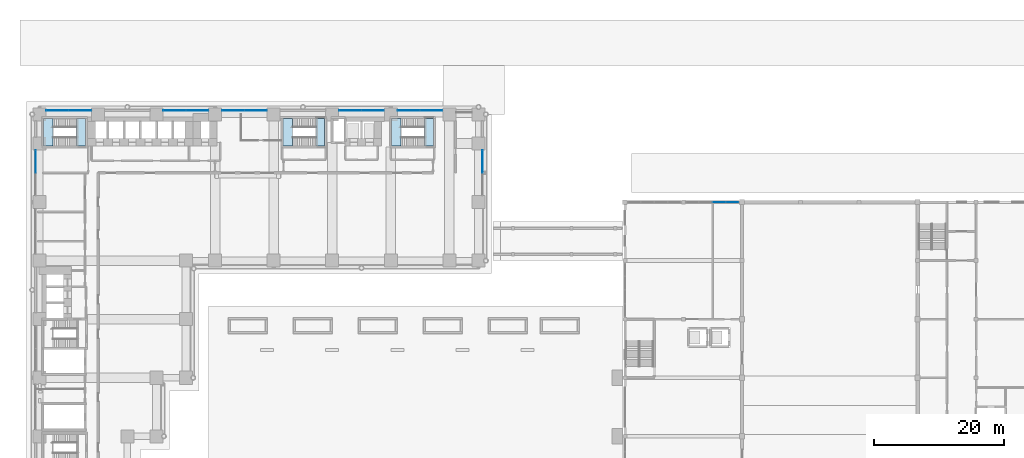
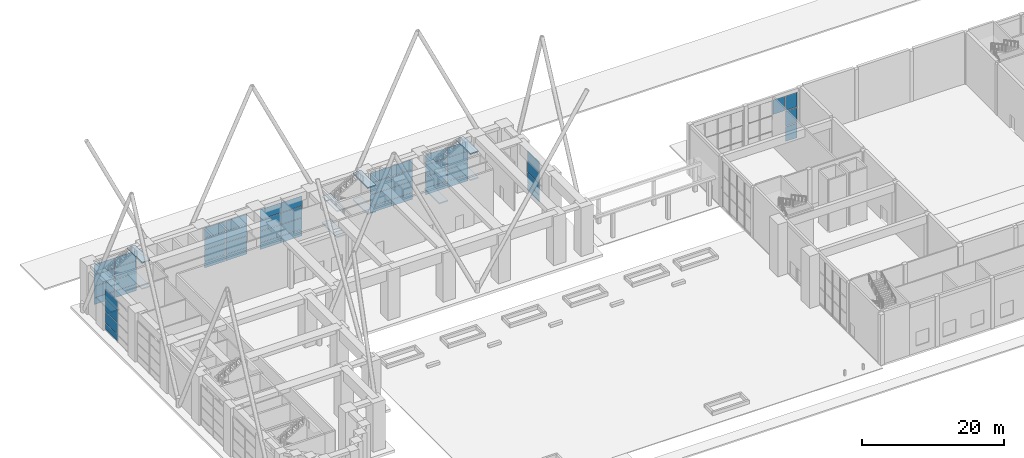
# One storey, part 25 of 44: 52 plates, 12 slabs, 11 elements without a shape of their own.
"""IFC4 building model written with IfcOpenShell, lengths in metres."""

from ifc_helpers import new_model, si_unit, direction, frame, origin, origin_2d, place, context, subcontext, project, spatial, polyline, rectangle, outline, extrude, material, layer, layer_set, type_object, element, aggregate, save


model = new_model("IFC4")

# Units and contexts
model_context = context("Model", 3, precision=1e-05, world=origin(), true_north=direction((0.0, 1.0)))
body_context = subcontext(model_context, "Body", "Model", "MODEL_VIEW")
ifc_project = project(units=[si_unit("LENGTHUNIT", "METRE"), si_unit("AREAUNIT", "SQUARE_METRE"), si_unit("VOLUMEUNIT", "CUBIC_METRE"), si_unit("PLANEANGLEUNIT", "RADIAN"), si_unit("MASSUNIT", "GRAM", prefix="KILO")], contexts=[model_context])

# Site, building, storey
site_placement = place(None, origin())
site = spatial("IfcSite", under=ifc_project, at=site_placement, CompositionType="ELEMENT")
building_placement = place(site_placement, origin())
building = spatial("IfcBuilding", under=site, at=building_placement, Name="Firuza Court", CompositionType="ELEMENT")
storey_placement = place(building_placement, origin())
storey = spatial("IfcBuildingStorey", under=building, at=storey_placement, Name="L00", CompositionType="ELEMENT", Elevation=0.0)

# Curtain wall, plates
ifc_material_1 = material(Name="Aluminium", Category="aluminium")
curtain_wall_type_1 = type_object("IfcCurtainWallType", Name="CW6 FOYER CURTAIN WALL", PredefinedType="NOTDEFINED", material=ifc_material_1)
curtain_wall_1_placement = place(storey_placement, origin())
curtain_wall_1 = element("IfcCurtainWall", 1, at=curtain_wall_1_placement, inside=storey, type_object=curtain_wall_type_1, Name="CW6 foyer curtain wall 4", PredefinedType="NOTDEFINED")
ifc_material_2 = material(Name="Glass", Category="glass")
ifc_layer_1 = layer(ifc_material_2, 0.028076171875)
ifc_layer_set_1 = layer_set([ifc_layer_1], Name="Glass")
plate_type_1 = type_object("IfcPlateType", Name="CW6 GLASS PANEL 28", PredefinedType="CURTAIN_PANEL", material=ifc_layer_set_1)
plate_1_placement = place(storey_placement, frame((104.487548828125, 45.0, 5.4599609375), z_axis=(0.0, 0.0, 1.0), x_axis=(1.0, 0.0, 0.0)))
plate_1 = element("IfcPlate", 2, at=plate_1_placement, type_object=plate_type_1, Name="CW6 panel 3.3", PredefinedType="CURTAIN_PANEL", context=body_context, shape_type="SweptSolid", body=[
    extrude(rectangle(XDim=1.9150390625, YDim=0.028076171875, at=origin_2d()), origin(), (0.0, 0.0, 1.0), 2.52001953125),
])
plate_2_placement = place(storey_placement, frame((106.5224609375, 45.0, 0.119873046875), z_axis=(0.0, 0.0, 1.0), x_axis=(1.0, 0.0, 0.0)))
plate_2 = element("IfcPlate", 3, at=plate_2_placement, type_object=plate_type_1, Name="CW6 panel 4.1", PredefinedType="CURTAIN_PANEL", context=body_context, shape_type="SweptSolid", body=[
    extrude(rectangle(XDim=1.8349609375, YDim=0.028076171875, at=origin_2d()), origin(), (0.0, 0.0, 1.0), 2.52001953125),
])
plate_3_placement = place(storey_placement, frame((106.5224609375, 45.0, 2.760009765625), z_axis=(0.0, 0.0, 1.0), x_axis=(1.0, 0.0, 0.0)))
plate_3 = element("IfcPlate", 4, at=plate_3_placement, type_object=plate_type_1, Name="CW6 panel 4.2", PredefinedType="CURTAIN_PANEL", context=body_context, shape_type="SweptSolid", body=[
    extrude(rectangle(XDim=1.8349609375, YDim=0.028076171875, at=origin_2d()), origin(), (0.0, 0.0, 1.0), 2.580078125),
])
plate_4_placement = place(storey_placement, frame((106.5224609375, 45.0, 5.4599609375), z_axis=(0.0, 0.0, 1.0), x_axis=(1.0, 0.0, 0.0)))
plate_4 = element("IfcPlate", 5, at=plate_4_placement, type_object=plate_type_1, Name="CW6 panel 4.3", PredefinedType="CURTAIN_PANEL", context=body_context, shape_type="SweptSolid", body=[
    extrude(rectangle(XDim=1.8349609375, YDim=0.028076171875, at=origin_2d()), origin(), (0.0, 0.0, 1.0), 2.52001953125),
])
aggregate(curtain_wall_1, [plate_1, plate_2, plate_3, plate_4])

ifc_material_3 = material(Name="Aluminium curtain wall, triple clear glazing", Category="aluminium")
curtain_wall_type_2 = type_object("IfcCurtainWallType", Name="Ground lobby stick shopfront CW2", PredefinedType="NOTDEFINED", material=ifc_material_3)
curtain_wall_2_placement = place(storey_placement, origin())
curtain_wall_2 = element("IfcCurtainWall", 6, at=curtain_wall_2_placement, inside=storey, type_object=curtain_wall_type_2, Name="Ground lobby stick shopfront CW2 L00", PredefinedType="NOTDEFINED")
ifc_material_4 = material(Name="Triple clear glazing", Category="glass")
ifc_layer_2 = layer(ifc_material_4, 0.031982421875)
ifc_layer_set_2 = layer_set([ifc_layer_2], Name="Triple clear glazing")
plate_type_2 = type_object("IfcPlateType", Name="Glazed panel 32 CW2", PredefinedType="CURTAIN_PANEL", material=ifc_layer_set_2)
plate_5_placement = place(storey_placement, frame((68.10009765625, 51.235107421875, 0.06005859375), z_axis=(0.0, 0.0, 1.0), x_axis=(0.0, 1.0, 0.0)))
plate_5 = element("IfcPlate", 7, at=plate_5_placement, type_object=plate_type_2, Name="CW2 panel 2.1", PredefinedType="CURTAIN_PANEL", context=body_context, shape_type="SweptSolid", body=[
    extrude(rectangle(XDim=3.409912109375, YDim=0.031982421875, at=origin_2d()), origin(), (0.0, 0.0, 1.0), 1.110107421875),
])
plate_6_placement = place(storey_placement, frame((68.10009765625, 51.235107421875, 1.22998046875), z_axis=(0.0, 0.0, 1.0), x_axis=(0.0, 1.0, 0.0)))
plate_6 = element("IfcPlate", 8, at=plate_6_placement, type_object=plate_type_2, Name="CW2 panel 2.2", PredefinedType="CURTAIN_PANEL", context=body_context, shape_type="SweptSolid", body=[
    extrude(rectangle(XDim=3.409912109375, YDim=0.031982421875, at=origin_2d()), origin(), (0.0, 0.0, 1.0), 1.93994140625),
])
plate_7_placement = place(storey_placement, frame((68.10009765625, 51.235107421875, 3.22998046875), z_axis=(0.0, 0.0, 1.0), x_axis=(0.0, 1.0, 0.0)))
plate_7 = element("IfcPlate", 9, at=plate_7_placement, type_object=plate_type_2, Name="CW2 panel 2.3", PredefinedType="CURTAIN_PANEL", context=body_context, shape_type="SweptSolid", body=[
    extrude(rectangle(XDim=3.409912109375, YDim=0.031982421875, at=origin_2d()), origin(), (0.0, 0.0, 1.0), 1.93994140625),
])
plate_8_placement = place(storey_placement, frame((68.10009765625, 51.235107421875, 5.22998046875), z_axis=(0.0, 0.0, 1.0), x_axis=(0.0, 1.0, 0.0)))
plate_8 = element("IfcPlate", 10, at=plate_8_placement, type_object=plate_type_2, Name="CW2 panel 2.4", PredefinedType="CURTAIN_PANEL", context=body_context, shape_type="SweptSolid", body=[
    extrude(rectangle(XDim=3.409912109375, YDim=0.031982421875, at=origin_2d()), origin(), (0.0, 0.0, 1.0), 1.7099609375),
])
aggregate(curtain_wall_2, [plate_5, plate_6, plate_7, plate_8])

curtain_wall_3_placement = place(storey_placement, origin())
curtain_wall_3 = element("IfcCurtainWall", 11, at=curtain_wall_3_placement, inside=storey, type_object=curtain_wall_type_2, Name="Ground lobby stick shopfront CW2 L00", PredefinedType="NOTDEFINED")
plate_9_placement = place(storey_placement, frame((60.235107421875, 59.10009765625, 0.06005859375), z_axis=(0.0, 0.0, 1.0), x_axis=(-1.0, 0.0, 0.0)))
plate_9 = element("IfcPlate", 12, at=plate_9_placement, type_object=plate_type_2, Name="CW2 panel 1.1", PredefinedType="CURTAIN_PANEL", context=body_context, shape_type="SweptSolid", body=[
    extrude(rectangle(XDim=3.409912109375, YDim=0.031982421875, at=origin_2d()), origin(), (0.0, 0.0, 1.0), 1.110107421875),
])
plate_10_placement = place(storey_placement, frame((60.235107421875, 59.10009765625, 1.22998046875), z_axis=(0.0, 0.0, 1.0), x_axis=(-1.0, 0.0, 0.0)))
plate_10 = element("IfcPlate", 13, at=plate_10_placement, type_object=plate_type_2, Name="CW2 panel 1.2", PredefinedType="CURTAIN_PANEL", context=body_context, shape_type="SweptSolid", body=[
    extrude(rectangle(XDim=3.409912109375, YDim=0.031982421875, at=origin_2d()), origin(), (0.0, 0.0, 1.0), 1.93994140625),
])
plate_11_placement = place(storey_placement, frame((60.235107421875, 59.10009765625, 3.22998046875), z_axis=(0.0, 0.0, 1.0), x_axis=(-1.0, 0.0, 0.0)))
plate_11 = element("IfcPlate", 14, at=plate_11_placement, type_object=plate_type_2, Name="CW2 panel 1.3", PredefinedType="CURTAIN_PANEL", context=body_context, shape_type="SweptSolid", body=[
    extrude(rectangle(XDim=3.409912109375, YDim=0.031982421875, at=origin_2d()), origin(), (0.0, 0.0, 1.0), 1.93994140625),
])
plate_12_placement = place(storey_placement, frame((60.235107421875, 59.10009765625, 5.22998046875), z_axis=(0.0, 0.0, 1.0), x_axis=(-1.0, 0.0, 0.0)))
plate_12 = element("IfcPlate", 15, at=plate_12_placement, type_object=plate_type_2, Name="CW2 panel 1.4", PredefinedType="CURTAIN_PANEL", context=body_context, shape_type="SweptSolid", body=[
    extrude(rectangle(XDim=3.409912109375, YDim=0.031982421875, at=origin_2d()), origin(), (0.0, 0.0, 1.0), 1.7099609375),
])
plate_13_placement = place(storey_placement, frame((56.764892578125, 59.10009765625, 0.06005859375), z_axis=(0.0, 0.0, 1.0), x_axis=(-1.0, 0.0, 0.0)))
plate_13 = element("IfcPlate", 16, at=plate_13_placement, type_object=plate_type_2, Name="CW2 panel 2.1", PredefinedType="CURTAIN_PANEL", context=body_context, shape_type="SweptSolid", body=[
    extrude(rectangle(XDim=3.409912109375, YDim=0.031982421875, at=origin_2d()), origin(), (0.0, 0.0, 1.0), 1.110107421875),
])
plate_14_placement = place(storey_placement, frame((56.764892578125, 59.10009765625, 1.22998046875), z_axis=(0.0, 0.0, 1.0), x_axis=(-1.0, 0.0, 0.0)))
plate_14 = element("IfcPlate", 17, at=plate_14_placement, type_object=plate_type_2, Name="CW2 panel 2.2", PredefinedType="CURTAIN_PANEL", context=body_context, shape_type="SweptSolid", body=[
    extrude(rectangle(XDim=3.409912109375, YDim=0.031982421875, at=origin_2d()), origin(), (0.0, 0.0, 1.0), 1.93994140625),
])
plate_15_placement = place(storey_placement, frame((56.764892578125, 59.10009765625, 3.22998046875), z_axis=(0.0, 0.0, 1.0), x_axis=(-1.0, 0.0, 0.0)))
plate_15 = element("IfcPlate", 18, at=plate_15_placement, type_object=plate_type_2, Name="CW2 panel 2.3", PredefinedType="CURTAIN_PANEL", context=body_context, shape_type="SweptSolid", body=[
    extrude(rectangle(XDim=3.409912109375, YDim=0.031982421875, at=origin_2d()), origin(), (0.0, 0.0, 1.0), 1.93994140625),
])
plate_16_placement = place(storey_placement, frame((56.764892578125, 59.10009765625, 5.22998046875), z_axis=(0.0, 0.0, 1.0), x_axis=(-1.0, 0.0, 0.0)))
plate_16 = element("IfcPlate", 19, at=plate_16_placement, type_object=plate_type_2, Name="CW2 panel 2.4", PredefinedType="CURTAIN_PANEL", context=body_context, shape_type="SweptSolid", body=[
    extrude(rectangle(XDim=3.409912109375, YDim=0.031982421875, at=origin_2d()), origin(), (0.0, 0.0, 1.0), 1.7099609375),
])
aggregate(curtain_wall_3, [plate_9, plate_10, plate_11, plate_12, plate_13, plate_14, plate_15, plate_16])

curtain_wall_4_placement = place(storey_placement, origin())
curtain_wall_4 = element("IfcCurtainWall", 20, at=curtain_wall_4_placement, inside=storey, type_object=curtain_wall_type_2, Name="Ground lobby stick shopfront CW2 L00", PredefinedType="NOTDEFINED")
plate_17_placement = place(storey_placement, frame((51.235107421875, 59.10009765625, 0.06005859375), z_axis=(0.0, 0.0, 1.0), x_axis=(-1.0, 0.0, 0.0)))
plate_17 = element("IfcPlate", 21, at=plate_17_placement, type_object=plate_type_2, Name="CW2 panel 1.1", PredefinedType="CURTAIN_PANEL", context=body_context, shape_type="SweptSolid", body=[
    extrude(rectangle(XDim=3.409912109375, YDim=0.031982421875, at=origin_2d()), origin(), (0.0, 0.0, 1.0), 1.110107421875),
])
plate_18_placement = place(storey_placement, frame((51.235107421875, 59.10009765625, 1.22998046875), z_axis=(0.0, 0.0, 1.0), x_axis=(-1.0, 0.0, 0.0)))
plate_18 = element("IfcPlate", 22, at=plate_18_placement, type_object=plate_type_2, Name="CW2 panel 1.2", PredefinedType="CURTAIN_PANEL", context=body_context, shape_type="SweptSolid", body=[
    extrude(rectangle(XDim=3.409912109375, YDim=0.031982421875, at=origin_2d()), origin(), (0.0, 0.0, 1.0), 1.93994140625),
])
plate_19_placement = place(storey_placement, frame((51.235107421875, 59.10009765625, 3.22998046875), z_axis=(0.0, 0.0, 1.0), x_axis=(-1.0, 0.0, 0.0)))
plate_19 = element("IfcPlate", 23, at=plate_19_placement, type_object=plate_type_2, Name="CW2 panel 1.3", PredefinedType="CURTAIN_PANEL", context=body_context, shape_type="SweptSolid", body=[
    extrude(rectangle(XDim=3.409912109375, YDim=0.031982421875, at=origin_2d()), origin(), (0.0, 0.0, 1.0), 1.93994140625),
])
plate_20_placement = place(storey_placement, frame((51.235107421875, 59.10009765625, 5.22998046875), z_axis=(0.0, 0.0, 1.0), x_axis=(-1.0, 0.0, 0.0)))
plate_20 = element("IfcPlate", 24, at=plate_20_placement, type_object=plate_type_2, Name="CW2 panel 1.4", PredefinedType="CURTAIN_PANEL", context=body_context, shape_type="SweptSolid", body=[
    extrude(rectangle(XDim=3.409912109375, YDim=0.031982421875, at=origin_2d()), origin(), (0.0, 0.0, 1.0), 1.7099609375),
])
plate_21_placement = place(storey_placement, frame((47.764892578125, 59.10009765625, 0.06005859375), z_axis=(0.0, 0.0, 1.0), x_axis=(-1.0, 0.0, 0.0)))
plate_21 = element("IfcPlate", 25, at=plate_21_placement, type_object=plate_type_2, Name="CW2 panel 2.1", PredefinedType="CURTAIN_PANEL", context=body_context, shape_type="SweptSolid", body=[
    extrude(rectangle(XDim=3.409912109375, YDim=0.031982421875, at=origin_2d()), origin(), (0.0, 0.0, 1.0), 1.110107421875),
])
plate_22_placement = place(storey_placement, frame((47.764892578125, 59.10009765625, 1.22998046875), z_axis=(0.0, 0.0, 1.0), x_axis=(-1.0, 0.0, 0.0)))
plate_22 = element("IfcPlate", 26, at=plate_22_placement, type_object=plate_type_2, Name="CW2 panel 2.2", PredefinedType="CURTAIN_PANEL", context=body_context, shape_type="SweptSolid", body=[
    extrude(rectangle(XDim=3.409912109375, YDim=0.031982421875, at=origin_2d()), origin(), (0.0, 0.0, 1.0), 1.93994140625),
])
plate_23_placement = place(storey_placement, frame((47.764892578125, 59.10009765625, 3.22998046875), z_axis=(0.0, 0.0, 1.0), x_axis=(-1.0, 0.0, 0.0)))
plate_23 = element("IfcPlate", 27, at=plate_23_placement, type_object=plate_type_2, Name="CW2 panel 2.3", PredefinedType="CURTAIN_PANEL", context=body_context, shape_type="SweptSolid", body=[
    extrude(rectangle(XDim=3.409912109375, YDim=0.031982421875, at=origin_2d()), origin(), (0.0, 0.0, 1.0), 1.93994140625),
])
plate_24_placement = place(storey_placement, frame((47.764892578125, 59.10009765625, 5.22998046875), z_axis=(0.0, 0.0, 1.0), x_axis=(-1.0, 0.0, 0.0)))
plate_24 = element("IfcPlate", 28, at=plate_24_placement, type_object=plate_type_2, Name="CW2 panel 2.4", PredefinedType="CURTAIN_PANEL", context=body_context, shape_type="SweptSolid", body=[
    extrude(rectangle(XDim=3.409912109375, YDim=0.031982421875, at=origin_2d()), origin(), (0.0, 0.0, 1.0), 1.7099609375),
])
aggregate(curtain_wall_4, [plate_17, plate_18, plate_19, plate_20, plate_21, plate_22, plate_23, plate_24])

curtain_wall_5_placement = place(storey_placement, origin())
curtain_wall_5 = element("IfcCurtainWall", 29, at=curtain_wall_5_placement, inside=storey, type_object=curtain_wall_type_2, Name="Ground lobby stick shopfront CW2 L00", PredefinedType="NOTDEFINED")
plate_25_placement = place(storey_placement, frame((33.235107421875, 59.10009765625, 0.06005859375), z_axis=(0.0, 0.0, 1.0), x_axis=(-1.0, 0.0, 0.0)))
plate_25 = element("IfcPlate", 30, at=plate_25_placement, type_object=plate_type_2, Name="CW2 panel 1.1", PredefinedType="CURTAIN_PANEL", context=body_context, shape_type="SweptSolid", body=[
    extrude(rectangle(XDim=3.409912109375, YDim=0.031982421875, at=origin_2d()), origin(), (0.0, 0.0, 1.0), 1.110107421875),
])
plate_26_placement = place(storey_placement, frame((33.235107421875, 59.10009765625, 1.22998046875), z_axis=(0.0, 0.0, 1.0), x_axis=(-1.0, 0.0, 0.0)))
plate_26 = element("IfcPlate", 31, at=plate_26_placement, type_object=plate_type_2, Name="CW2 panel 1.2", PredefinedType="CURTAIN_PANEL", context=body_context, shape_type="SweptSolid", body=[
    extrude(rectangle(XDim=3.409912109375, YDim=0.031982421875, at=origin_2d()), origin(), (0.0, 0.0, 1.0), 1.93994140625),
])
plate_27_placement = place(storey_placement, frame((33.235107421875, 59.10009765625, 3.22998046875), z_axis=(0.0, 0.0, 1.0), x_axis=(-1.0, 0.0, 0.0)))
plate_27 = element("IfcPlate", 32, at=plate_27_placement, type_object=plate_type_2, Name="CW2 panel 1.3", PredefinedType="CURTAIN_PANEL", context=body_context, shape_type="SweptSolid", body=[
    extrude(rectangle(XDim=3.409912109375, YDim=0.031982421875, at=origin_2d()), origin(), (0.0, 0.0, 1.0), 1.93994140625),
])
plate_28_placement = place(storey_placement, frame((33.235107421875, 59.10009765625, 5.22998046875), z_axis=(0.0, 0.0, 1.0), x_axis=(-1.0, 0.0, 0.0)))
plate_28 = element("IfcPlate", 33, at=plate_28_placement, type_object=plate_type_2, Name="CW2 panel 1.4", PredefinedType="CURTAIN_PANEL", context=body_context, shape_type="SweptSolid", body=[
    extrude(rectangle(XDim=3.409912109375, YDim=0.031982421875, at=origin_2d()), origin(), (0.0, 0.0, 1.0), 1.7099609375),
])
plate_29_placement = place(storey_placement, frame((29.764892578125, 59.10009765625, 0.06005859375), z_axis=(0.0, 0.0, 1.0), x_axis=(-1.0, 0.0, 0.0)))
plate_29 = element("IfcPlate", 34, at=plate_29_placement, type_object=plate_type_2, Name="CW2 panel 2.1", PredefinedType="CURTAIN_PANEL", context=body_context, shape_type="SweptSolid", body=[
    extrude(rectangle(XDim=3.409912109375, YDim=0.031982421875, at=origin_2d()), origin(), (0.0, 0.0, 1.0), 1.110107421875),
])
plate_30_placement = place(storey_placement, frame((29.764892578125, 59.10009765625, 1.22998046875), z_axis=(0.0, 0.0, 1.0), x_axis=(-1.0, 0.0, 0.0)))
plate_30 = element("IfcPlate", 35, at=plate_30_placement, type_object=plate_type_2, Name="CW2 panel 2.2", PredefinedType="CURTAIN_PANEL", context=body_context, shape_type="SweptSolid", body=[
    extrude(rectangle(XDim=3.409912109375, YDim=0.031982421875, at=origin_2d()), origin(), (0.0, 0.0, 1.0), 1.93994140625),
])
plate_31_placement = place(storey_placement, frame((29.764892578125, 59.10009765625, 3.22998046875), z_axis=(0.0, 0.0, 1.0), x_axis=(-1.0, 0.0, 0.0)))
plate_31 = element("IfcPlate", 36, at=plate_31_placement, type_object=plate_type_2, Name="CW2 panel 2.3", PredefinedType="CURTAIN_PANEL", context=body_context, shape_type="SweptSolid", body=[
    extrude(rectangle(XDim=3.409912109375, YDim=0.031982421875, at=origin_2d()), origin(), (0.0, 0.0, 1.0), 1.93994140625),
])
plate_32_placement = place(storey_placement, frame((29.764892578125, 59.10009765625, 5.22998046875), z_axis=(0.0, 0.0, 1.0), x_axis=(-1.0, 0.0, 0.0)))
plate_32 = element("IfcPlate", 37, at=plate_32_placement, type_object=plate_type_2, Name="CW2 panel 2.4", PredefinedType="CURTAIN_PANEL", context=body_context, shape_type="SweptSolid", body=[
    extrude(rectangle(XDim=3.409912109375, YDim=0.031982421875, at=origin_2d()), origin(), (0.0, 0.0, 1.0), 1.7099609375),
])
aggregate(curtain_wall_5, [plate_25, plate_26, plate_27, plate_28, plate_29, plate_30, plate_31, plate_32])

curtain_wall_6_placement = place(storey_placement, origin())
curtain_wall_6 = element("IfcCurtainWall", 38, at=curtain_wall_6_placement, inside=storey, type_object=curtain_wall_type_2, Name="Ground lobby stick shopfront CW2 L00", PredefinedType="NOTDEFINED")
plate_33_placement = place(storey_placement, frame((24.235107421875, 59.10009765625, 0.06005859375), z_axis=(0.0, 0.0, 1.0), x_axis=(-1.0, 0.0, 0.0)))
plate_33 = element("IfcPlate", 39, at=plate_33_placement, type_object=plate_type_2, Name="CW2 panel 1.1", PredefinedType="CURTAIN_PANEL", context=body_context, shape_type="SweptSolid", body=[
    extrude(rectangle(XDim=3.409912109375, YDim=0.031982421875, at=origin_2d()), origin(), (0.0, 0.0, 1.0), 1.110107421875),
])
plate_34_placement = place(storey_placement, frame((24.235107421875, 59.10009765625, 1.22998046875), z_axis=(0.0, 0.0, 1.0), x_axis=(-1.0, 0.0, 0.0)))
plate_34 = element("IfcPlate", 40, at=plate_34_placement, type_object=plate_type_2, Name="CW2 panel 1.2", PredefinedType="CURTAIN_PANEL", context=body_context, shape_type="SweptSolid", body=[
    extrude(rectangle(XDim=3.409912109375, YDim=0.031982421875, at=origin_2d()), origin(), (0.0, 0.0, 1.0), 1.93994140625),
])
plate_35_placement = place(storey_placement, frame((24.235107421875, 59.10009765625, 3.22998046875), z_axis=(0.0, 0.0, 1.0), x_axis=(-1.0, 0.0, 0.0)))
plate_35 = element("IfcPlate", 41, at=plate_35_placement, type_object=plate_type_2, Name="CW2 panel 1.3", PredefinedType="CURTAIN_PANEL", context=body_context, shape_type="SweptSolid", body=[
    extrude(rectangle(XDim=3.409912109375, YDim=0.031982421875, at=origin_2d()), origin(), (0.0, 0.0, 1.0), 1.93994140625),
])
plate_36_placement = place(storey_placement, frame((24.235107421875, 59.10009765625, 5.22998046875), z_axis=(0.0, 0.0, 1.0), x_axis=(-1.0, 0.0, 0.0)))
plate_36 = element("IfcPlate", 42, at=plate_36_placement, type_object=plate_type_2, Name="CW2 panel 1.4", PredefinedType="CURTAIN_PANEL", context=body_context, shape_type="SweptSolid", body=[
    extrude(rectangle(XDim=3.409912109375, YDim=0.031982421875, at=origin_2d()), origin(), (0.0, 0.0, 1.0), 1.7099609375),
])
plate_37_placement = place(storey_placement, frame((20.764892578125, 59.10009765625, 0.06005859375), z_axis=(0.0, 0.0, 1.0), x_axis=(-1.0, 0.0, 0.0)))
plate_37 = element("IfcPlate", 43, at=plate_37_placement, type_object=plate_type_2, Name="CW2 panel 2.1", PredefinedType="CURTAIN_PANEL", context=body_context, shape_type="SweptSolid", body=[
    extrude(rectangle(XDim=3.409912109375, YDim=0.031982421875, at=origin_2d()), origin(), (0.0, 0.0, 1.0), 1.110107421875),
])
plate_38_placement = place(storey_placement, frame((20.764892578125, 59.10009765625, 1.22998046875), z_axis=(0.0, 0.0, 1.0), x_axis=(-1.0, 0.0, 0.0)))
plate_38 = element("IfcPlate", 44, at=plate_38_placement, type_object=plate_type_2, Name="CW2 panel 2.2", PredefinedType="CURTAIN_PANEL", context=body_context, shape_type="SweptSolid", body=[
    extrude(rectangle(XDim=3.409912109375, YDim=0.031982421875, at=origin_2d()), origin(), (0.0, 0.0, 1.0), 1.93994140625),
])
plate_39_placement = place(storey_placement, frame((20.764892578125, 59.10009765625, 3.22998046875), z_axis=(0.0, 0.0, 1.0), x_axis=(-1.0, 0.0, 0.0)))
plate_39 = element("IfcPlate", 45, at=plate_39_placement, type_object=plate_type_2, Name="CW2 panel 2.3", PredefinedType="CURTAIN_PANEL", context=body_context, shape_type="SweptSolid", body=[
    extrude(rectangle(XDim=3.409912109375, YDim=0.031982421875, at=origin_2d()), origin(), (0.0, 0.0, 1.0), 1.93994140625),
])
plate_40_placement = place(storey_placement, frame((20.764892578125, 59.10009765625, 5.22998046875), z_axis=(0.0, 0.0, 1.0), x_axis=(-1.0, 0.0, 0.0)))
plate_40 = element("IfcPlate", 46, at=plate_40_placement, type_object=plate_type_2, Name="CW2 panel 2.4", PredefinedType="CURTAIN_PANEL", context=body_context, shape_type="SweptSolid", body=[
    extrude(rectangle(XDim=3.409912109375, YDim=0.031982421875, at=origin_2d()), origin(), (0.0, 0.0, 1.0), 1.7099609375),
])
aggregate(curtain_wall_6, [plate_33, plate_34, plate_35, plate_36, plate_37, plate_38, plate_39, plate_40])

curtain_wall_7_placement = place(storey_placement, origin())
curtain_wall_7 = element("IfcCurtainWall", 47, at=curtain_wall_7_placement, inside=storey, type_object=curtain_wall_type_2, Name="Ground lobby stick shopfront CW2 L00", PredefinedType="NOTDEFINED")
plate_41_placement = place(storey_placement, frame((6.235107421875, 59.10009765625, 0.06005859375), z_axis=(0.0, 0.0, 1.0), x_axis=(-1.0, 0.0, 0.0)))
plate_41 = element("IfcPlate", 48, at=plate_41_placement, type_object=plate_type_2, Name="CW2 panel 1.1", PredefinedType="CURTAIN_PANEL", context=body_context, shape_type="SweptSolid", body=[
    extrude(rectangle(XDim=3.409912109375, YDim=0.031982421875, at=origin_2d()), origin(), (0.0, 0.0, 1.0), 1.110107421875),
])
plate_42_placement = place(storey_placement, frame((6.235107421875, 59.10009765625, 1.22998046875), z_axis=(0.0, 0.0, 1.0), x_axis=(-1.0, 0.0, 0.0)))
plate_42 = element("IfcPlate", 49, at=plate_42_placement, type_object=plate_type_2, Name="CW2 panel 1.2", PredefinedType="CURTAIN_PANEL", context=body_context, shape_type="SweptSolid", body=[
    extrude(rectangle(XDim=3.409912109375, YDim=0.031982421875, at=origin_2d()), origin(), (0.0, 0.0, 1.0), 1.93994140625),
])
plate_43_placement = place(storey_placement, frame((6.235107421875, 59.10009765625, 3.22998046875), z_axis=(0.0, 0.0, 1.0), x_axis=(-1.0, 0.0, 0.0)))
plate_43 = element("IfcPlate", 50, at=plate_43_placement, type_object=plate_type_2, Name="CW2 panel 1.3", PredefinedType="CURTAIN_PANEL", context=body_context, shape_type="SweptSolid", body=[
    extrude(rectangle(XDim=3.409912109375, YDim=0.031982421875, at=origin_2d()), origin(), (0.0, 0.0, 1.0), 1.93994140625),
])
plate_44_placement = place(storey_placement, frame((6.235107421875, 59.10009765625, 5.22998046875), z_axis=(0.0, 0.0, 1.0), x_axis=(-1.0, 0.0, 0.0)))
plate_44 = element("IfcPlate", 51, at=plate_44_placement, type_object=plate_type_2, Name="CW2 panel 1.4", PredefinedType="CURTAIN_PANEL", context=body_context, shape_type="SweptSolid", body=[
    extrude(rectangle(XDim=3.409912109375, YDim=0.031982421875, at=origin_2d()), origin(), (0.0, 0.0, 1.0), 1.7099609375),
])
plate_45_placement = place(storey_placement, frame((2.764892578125, 59.10009765625, 0.06005859375), z_axis=(0.0, 0.0, 1.0), x_axis=(-1.0, 0.0, 0.0)))
plate_45 = element("IfcPlate", 52, at=plate_45_placement, type_object=plate_type_2, Name="CW2 panel 2.1", PredefinedType="CURTAIN_PANEL", context=body_context, shape_type="SweptSolid", body=[
    extrude(rectangle(XDim=3.409912109375, YDim=0.031982421875, at=origin_2d()), origin(), (0.0, 0.0, 1.0), 1.110107421875),
])
plate_46_placement = place(storey_placement, frame((2.764892578125, 59.10009765625, 1.22998046875), z_axis=(0.0, 0.0, 1.0), x_axis=(-1.0, 0.0, 0.0)))
plate_46 = element("IfcPlate", 53, at=plate_46_placement, type_object=plate_type_2, Name="CW2 panel 2.2", PredefinedType="CURTAIN_PANEL", context=body_context, shape_type="SweptSolid", body=[
    extrude(rectangle(XDim=3.409912109375, YDim=0.031982421875, at=origin_2d()), origin(), (0.0, 0.0, 1.0), 1.93994140625),
])
plate_47_placement = place(storey_placement, frame((2.764892578125, 59.10009765625, 3.22998046875), z_axis=(0.0, 0.0, 1.0), x_axis=(-1.0, 0.0, 0.0)))
plate_47 = element("IfcPlate", 54, at=plate_47_placement, type_object=plate_type_2, Name="CW2 panel 2.3", PredefinedType="CURTAIN_PANEL", context=body_context, shape_type="SweptSolid", body=[
    extrude(rectangle(XDim=3.409912109375, YDim=0.031982421875, at=origin_2d()), origin(), (0.0, 0.0, 1.0), 1.93994140625),
])
plate_48_placement = place(storey_placement, frame((2.764892578125, 59.10009765625, 5.22998046875), z_axis=(0.0, 0.0, 1.0), x_axis=(-1.0, 0.0, 0.0)))
plate_48 = element("IfcPlate", 55, at=plate_48_placement, type_object=plate_type_2, Name="CW2 panel 2.4", PredefinedType="CURTAIN_PANEL", context=body_context, shape_type="SweptSolid", body=[
    extrude(rectangle(XDim=3.409912109375, YDim=0.031982421875, at=origin_2d()), origin(), (0.0, 0.0, 1.0), 1.7099609375),
])
aggregate(curtain_wall_7, [plate_41, plate_42, plate_43, plate_44, plate_45, plate_46, plate_47, plate_48])

curtain_wall_8_placement = place(storey_placement, origin())
curtain_wall_8 = element("IfcCurtainWall", 56, at=curtain_wall_8_placement, inside=storey, type_object=curtain_wall_type_2, Name="Ground lobby stick shopfront CW2 L00", PredefinedType="NOTDEFINED")
plate_49_placement = place(storey_placement, frame((-0.60009765625, 51.235107421875, 0.06005859375), z_axis=(0.0, 0.0, 1.0), x_axis=(0.0, -1.0, 0.0)))
plate_49 = element("IfcPlate", 57, at=plate_49_placement, type_object=plate_type_2, Name="CW2 panel 1.1", PredefinedType="CURTAIN_PANEL", context=body_context, shape_type="SweptSolid", body=[
    extrude(rectangle(XDim=3.409912109375, YDim=0.031982421875, at=origin_2d()), origin(), (0.0, 0.0, 1.0), 1.110107421875),
])
plate_50_placement = place(storey_placement, frame((-0.60009765625, 51.235107421875, 1.22998046875), z_axis=(0.0, 0.0, 1.0), x_axis=(0.0, -1.0, 0.0)))
plate_50 = element("IfcPlate", 58, at=plate_50_placement, type_object=plate_type_2, Name="CW2 panel 1.2", PredefinedType="CURTAIN_PANEL", context=body_context, shape_type="SweptSolid", body=[
    extrude(rectangle(XDim=3.409912109375, YDim=0.031982421875, at=origin_2d()), origin(), (0.0, 0.0, 1.0), 1.93994140625),
])
plate_51_placement = place(storey_placement, frame((-0.60009765625, 51.235107421875, 3.22998046875), z_axis=(0.0, 0.0, 1.0), x_axis=(0.0, -1.0, 0.0)))
plate_51 = element("IfcPlate", 59, at=plate_51_placement, type_object=plate_type_2, Name="CW2 panel 1.3", PredefinedType="CURTAIN_PANEL", context=body_context, shape_type="SweptSolid", body=[
    extrude(rectangle(XDim=3.409912109375, YDim=0.031982421875, at=origin_2d()), origin(), (0.0, 0.0, 1.0), 1.93994140625),
])
plate_52_placement = place(storey_placement, frame((-0.60009765625, 51.235107421875, 5.22998046875), z_axis=(0.0, 0.0, 1.0), x_axis=(0.0, -1.0, 0.0)))
plate_52 = element("IfcPlate", 60, at=plate_52_placement, type_object=plate_type_2, Name="CW2 panel 1.4", PredefinedType="CURTAIN_PANEL", context=body_context, shape_type="SweptSolid", body=[
    extrude(rectangle(XDim=3.409912109375, YDim=0.031982421875, at=origin_2d()), origin(), (0.0, 0.0, 1.0), 1.7099609375),
])
aggregate(curtain_wall_8, [plate_49, plate_50, plate_51, plate_52])

# Stair, slabs
ifc_material_5 = material(Name="Concrete C40/50 precast", Category="concrete")
stair_type = type_object("IfcStairType", Name="Stair 1350 x 9000 4 flights", PredefinedType="QUARTER_TURN_STAIR", material=ifc_material_5)
stair_1_placement = place(storey_placement, origin())
stair_1 = element("IfcStair", 61, at=stair_1_placement, inside=storey, type_object=stair_type, Name="Stair 1 L00", PredefinedType="QUARTER_TURN_STAIR")
ifc_material_6 = material(Name="Concrete C40/50 precast", Category="concrete")
ifc_layer_3 = layer(ifc_material_6, 0.199951171875)
ifc_layer_set_3 = layer_set([ifc_layer_3], Name="Concrete C40/50 precast")
slab_type = type_object("IfcSlabType", Name="Stair landing 200", PredefinedType="LANDING", material=ifc_layer_set_3)
slab_1_placement = place(storey_placement, frame((0.0, 0.0, 2.050048828125)))
slab_1 = element("IfcSlab", 62, at=slab_1_placement, type_object=slab_type, Name="S1 landing 1", PredefinedType="LANDING", context=body_context, shape_type="SweptSolid", body=[
    extrude(outline(polyline([(38.860107421875, 53.64990234375), (38.860107421875, 57.85009765625), (37.449951171875, 57.85009765625), (37.449951171875, 53.64990234375), (38.860107421875, 53.64990234375)])), origin(), (0.0, 0.0, 1.0), 0.199951171875),
])
slab_2_placement = place(storey_placement, frame((0.0, 0.0, 4.300048828125)))
slab_2 = element("IfcSlab", 63, at=slab_2_placement, type_object=slab_type, Name="S1 landing 2", PredefinedType="LANDING", context=body_context, shape_type="SweptSolid", body=[
    extrude(outline(polyline([(43.85009765625, 53.64990234375), (43.85009765625, 57.85009765625), (42.5, 57.85009765625), (42.5, 53.64990234375), (43.85009765625, 53.64990234375)])), origin(), (0.0, 0.0, 1.0), 0.199951171875),
])
slab_3_placement = place(storey_placement, frame((0.0, 0.0, 6.550048828125)))
slab_3 = element("IfcSlab", 64, at=slab_3_placement, type_object=slab_type, Name="S1 landing 3", PredefinedType="LANDING", context=body_context, shape_type="SweptSolid", body=[
    extrude(outline(polyline([(38.860107421875, 53.64990234375), (38.860107421875, 57.85009765625), (37.449951171875, 57.85009765625), (37.449951171875, 53.64990234375), (38.860107421875, 53.64990234375)])), origin(), (0.0, 0.0, 1.0), 0.199951171875),
])
slab_4_placement = place(storey_placement, frame((0.0, 0.0, 8.800048828125)))
slab_4 = element("IfcSlab", 65, at=slab_4_placement, type_object=slab_type, Name="S1 landing 4", PredefinedType="LANDING", context=body_context, shape_type="SweptSolid", body=[
    extrude(outline(polyline([(43.85009765625, 53.64990234375), (43.85009765625, 57.85009765625), (42.5, 57.85009765625), (42.5, 53.64990234375), (43.85009765625, 53.64990234375)])), origin(), (0.0, 0.0, 1.0), 0.199951171875),
])
aggregate(stair_1, [slab_1, slab_2, slab_3, slab_4])

stair_2_placement = place(storey_placement, origin())
stair_2 = element("IfcStair", 66, at=stair_2_placement, inside=storey, type_object=stair_type, Name="Stair 3 L00", PredefinedType="QUARTER_TURN_STAIR")
slab_5_placement = place(storey_placement, frame((0.0, 0.0, 2.050048828125)))
slab_5 = element("IfcSlab", 67, at=slab_5_placement, type_object=slab_type, Name="S3 landing 1", PredefinedType="LANDING", context=body_context, shape_type="SweptSolid", body=[
    extrude(outline(polyline([(2.06005859375, 53.64990234375), (2.06005859375, 57.85009765625), (0.64990234375, 57.85009765625), (0.64990234375, 53.64990234375), (2.06005859375, 53.64990234375)])), origin(), (0.0, 0.0, 1.0), 0.199951171875),
])
slab_6_placement = place(storey_placement, frame((0.0, 0.0, 4.300048828125)))
slab_6 = element("IfcSlab", 68, at=slab_6_placement, type_object=slab_type, Name="S3 landing 2", PredefinedType="LANDING", context=body_context, shape_type="SweptSolid", body=[
    extrude(outline(polyline([(7.050048828125, 53.64990234375), (7.050048828125, 57.85009765625), (5.699951171875, 57.85009765625), (5.699951171875, 53.64990234375), (7.050048828125, 53.64990234375)])), origin(), (0.0, 0.0, 1.0), 0.199951171875),
])
slab_7_placement = place(storey_placement, frame((0.0, 0.0, 6.550048828125)))
slab_7 = element("IfcSlab", 69, at=slab_7_placement, type_object=slab_type, Name="S3 landing 3", PredefinedType="LANDING", context=body_context, shape_type="SweptSolid", body=[
    extrude(outline(polyline([(2.06005859375, 53.64990234375), (2.06005859375, 57.85009765625), (0.64990234375, 57.85009765625), (0.64990234375, 53.64990234375), (2.06005859375, 53.64990234375)])), origin(), (0.0, 0.0, 1.0), 0.199951171875),
])
slab_8_placement = place(storey_placement, frame((0.0, 0.0, 8.800048828125)))
slab_8 = element("IfcSlab", 70, at=slab_8_placement, type_object=slab_type, Name="S3 landing 4", PredefinedType="LANDING", context=body_context, shape_type="SweptSolid", body=[
    extrude(outline(polyline([(7.050048828125, 53.64990234375), (7.050048828125, 57.85009765625), (5.699951171875, 57.85009765625), (5.699951171875, 53.64990234375), (7.050048828125, 53.64990234375)])), origin(), (0.0, 0.0, 1.0), 0.199951171875),
])
aggregate(stair_2, [slab_5, slab_6, slab_7, slab_8])

stair_3_placement = place(storey_placement, origin())
stair_3 = element("IfcStair", 71, at=stair_3_placement, inside=storey, type_object=stair_type, Name="Stair 4 L00", PredefinedType="QUARTER_TURN_STAIR")
slab_9_placement = place(storey_placement, frame((0.0, 0.0, 2.050048828125)))
slab_9 = element("IfcSlab", 72, at=slab_9_placement, type_object=slab_type, Name="S4 landing 1", PredefinedType="LANDING", context=body_context, shape_type="SweptSolid", body=[
    extrude(outline(polyline([(55.56005859375, 53.64990234375), (55.56005859375, 57.85009765625), (54.14990234375, 57.85009765625), (54.14990234375, 53.64990234375), (55.56005859375, 53.64990234375)])), origin(), (0.0, 0.0, 1.0), 0.199951171875),
])
slab_10_placement = place(storey_placement, frame((0.0, 0.0, 4.300048828125)))
slab_10 = element("IfcSlab", 73, at=slab_10_placement, type_object=slab_type, Name="S4 landing 2", PredefinedType="LANDING", context=body_context, shape_type="SweptSolid", body=[
    extrude(outline(polyline([(60.550048828125, 53.64990234375), (60.550048828125, 57.85009765625), (59.199951171875, 57.85009765625), (59.199951171875, 53.64990234375), (60.550048828125, 53.64990234375)])), origin(), (0.0, 0.0, 1.0), 0.199951171875),
])
slab_11_placement = place(storey_placement, frame((0.0, 0.0, 6.550048828125)))
slab_11 = element("IfcSlab", 74, at=slab_11_placement, type_object=slab_type, Name="S4 landing 3", PredefinedType="LANDING", context=body_context, shape_type="SweptSolid", body=[
    extrude(outline(polyline([(55.56005859375, 53.64990234375), (55.56005859375, 57.85009765625), (54.14990234375, 57.85009765625), (54.14990234375, 53.64990234375), (55.56005859375, 53.64990234375)])), origin(), (0.0, 0.0, 1.0), 0.199951171875),
])
slab_12_placement = place(storey_placement, frame((0.0, 0.0, 8.800048828125)))
slab_12 = element("IfcSlab", 75, at=slab_12_placement, type_object=slab_type, Name="S4 landing 4", PredefinedType="LANDING", context=body_context, shape_type="SweptSolid", body=[
    extrude(outline(polyline([(60.550048828125, 53.64990234375), (60.550048828125, 57.85009765625), (59.199951171875, 57.85009765625), (59.199951171875, 53.64990234375), (60.550048828125, 53.64990234375)])), origin(), (0.0, 0.0, 1.0), 0.199951171875),
])
aggregate(stair_3, [slab_9, slab_10, slab_11, slab_12])

save(model, "model.ifc")
